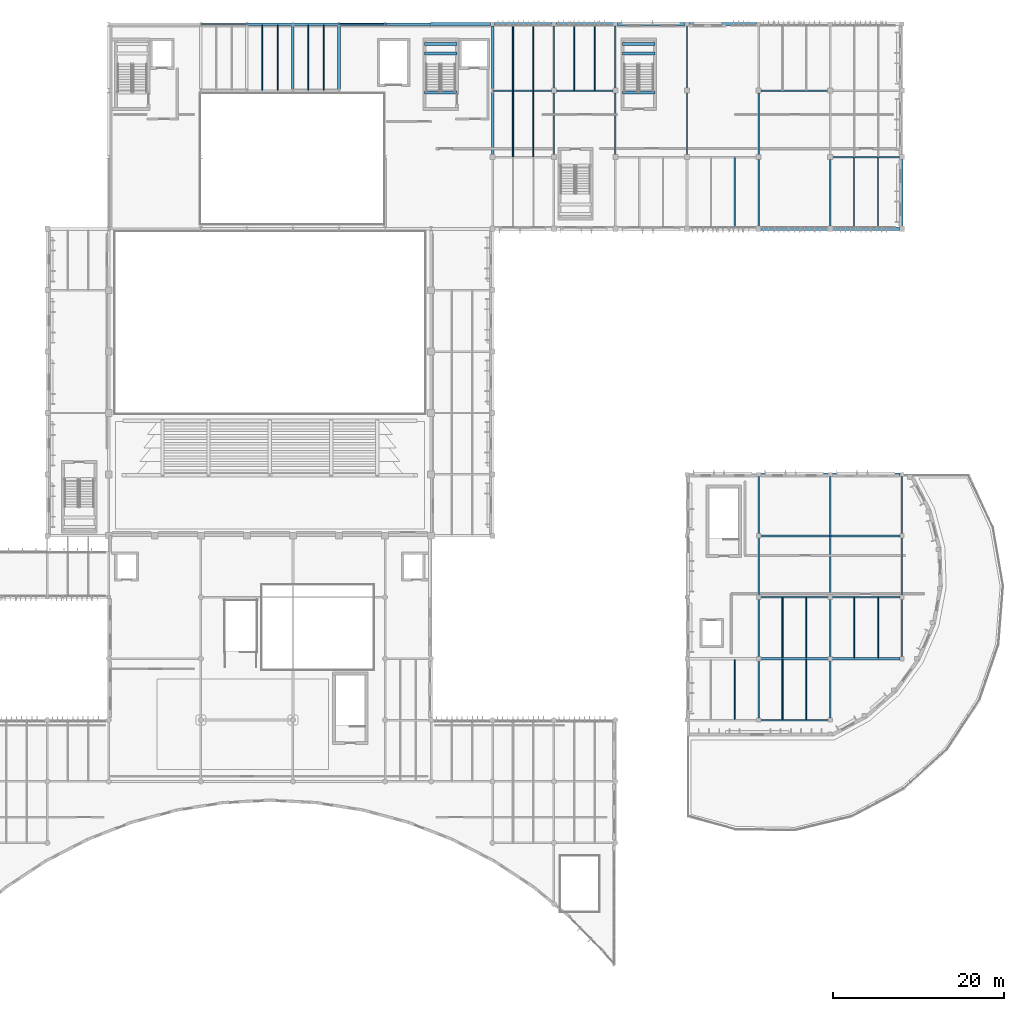
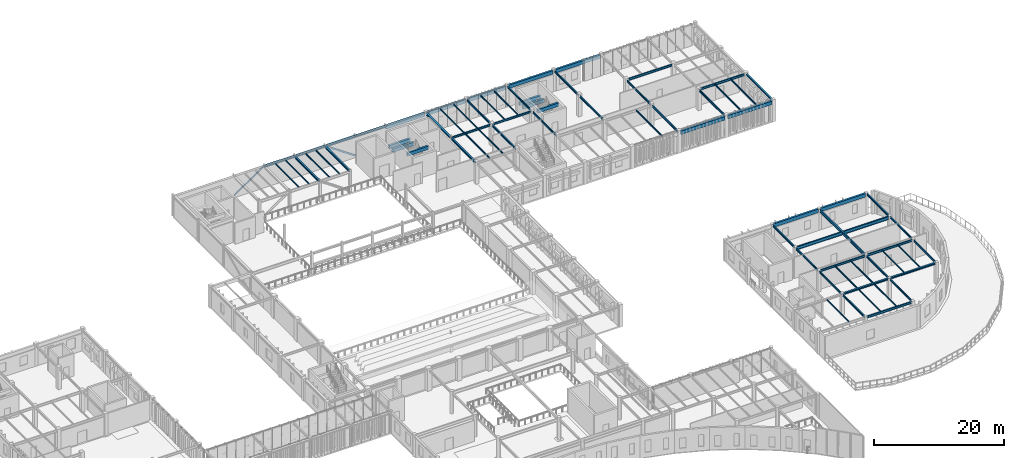
# One storey, part 15 of 104: 73 beams, 2 members.
"""IFC4 building model written with IfcOpenShell, lengths in metres."""

from ifc_helpers import new_model, si_unit, direction, frame, origin, origin_2d, place, context, subcontext, project, spatial, rectangle, hollow_rectangle, i_section, extrude, material, material_profile, profile_set, type_object, element, save


model = new_model("IFC4")

# Units and contexts
model_context = context("Model", 3, precision=1e-05, world=origin(), true_north=direction((0.0, 1.0)))
body_context = subcontext(model_context, "Body", "Model", "MODEL_VIEW")
ifc_project = project(units=[si_unit("LENGTHUNIT", "METRE"), si_unit("AREAUNIT", "SQUARE_METRE"), si_unit("VOLUMEUNIT", "CUBIC_METRE"), si_unit("PLANEANGLEUNIT", "RADIAN"), si_unit("MASSUNIT", "GRAM", prefix="KILO")], contexts=[model_context])

# Site, building, storey
site_placement = place(None, origin())
site = spatial("IfcSite", under=ifc_project, at=site_placement, CompositionType="ELEMENT")
building_placement = place(site_placement, origin())
building = spatial("IfcBuilding", under=site, at=building_placement, Name="Tazoul Stagehouse", CompositionType="ELEMENT")
storey_placement = place(building_placement, frame((0.0, 0.0, 9.0)))
storey = spatial("IfcBuildingStorey", under=building, at=storey_placement, Name="L02", CompositionType="ELEMENT", Elevation=9.0)

# Members
ifc_material_1 = material(Name="Steel S355", Category="steel")
ifc_material_profile_1 = material_profile(ifc_material_1, hollow_rectangle(XDim=0.199951171875, YDim=0.300048828125, WallThickness=0.012451171875, InnerFilletRadius=0.012451171875, OuterFilletRadius=0.018798828125, at=origin_2d()), Name="RHS 300x200x12.5")
ifc_profile_set_1 = profile_set([ifc_material_profile_1], Name="Steel S355")
member_type_1 = type_object("IfcMemberType", Name="Heavy Frame Brace RHS 300x200x12.5 (Exterior)", PredefinedType="BRACE", material=ifc_profile_set_1)
member_1_placement = place(storey_placement, frame((90.0, 111.800048828125, 0.14990234375), z_axis=(-0.82491369339, 0.0, 0.565258700471), x_axis=(0.0, -1.0, 0.0)))
element("IfcMember", 1, at=member_1_placement, inside=storey, type_object=member_type_1, Name="L02 Concentric Brace BR-06E (BR-FT-L02-N2)", PredefinedType="BRACE", context=body_context, shape_type="SweptSolid", body=[
    extrude(hollow_rectangle(XDim=0.199951171875, YDim=0.300048828125, WallThickness=0.012451171875, InnerFilletRadius=0.012451171875, OuterFilletRadius=0.018798828125, at=origin_2d()), origin(), (0.0, 0.0, 1.0), 6.546142578125),
])
ifc_material_profile_2 = material_profile(ifc_material_1, hollow_rectangle(XDim=0.14990234375, YDim=0.25, WallThickness=0.010009765625, InnerFilletRadius=0.010009765625, OuterFilletRadius=0.014892578125, at=origin_2d()), Name="RHS 250x150x10")
ifc_profile_set_2 = profile_set([ifc_material_profile_2], Name="Steel S355")
member_type_2 = type_object("IfcMemberType", Name="Lateral Frame Brace RHS 250x150x10 (Exterior)", PredefinedType="BRACE", material=ifc_profile_set_2)
member_2_placement = place(storey_placement, frame((68.39990234375, 111.800048828125, 0.14990234375), z_axis=(0.824925609572, 0.0, 0.565241310126), x_axis=(0.0, 1.0, 0.0)))
element("IfcMember", 2, at=member_2_placement, inside=storey, type_object=member_type_2, Name="L02 Concentric Brace BR-05E (BR-FT-L02-N1)", PredefinedType="BRACE", context=body_context, shape_type="SweptSolid", body=[
    extrude(hollow_rectangle(XDim=0.14990234375, YDim=0.25, WallThickness=0.010009765625, InnerFilletRadius=0.010009765625, OuterFilletRadius=0.014892578125, at=origin_2d()), origin(), (0.0, 0.0, 1.0), 6.546142578125),
])

# Beams
ifc_material_2 = material(Name="Concrete C40/50", Category="concrete")
ifc_material_profile_3 = material_profile(ifc_material_2, rectangle(XDim=0.35009765625, YDim=0.64990234375, at=origin_2d()), Name="RC 350x650")
ifc_profile_set_3 = profile_set([ifc_material_profile_3], Name="Concrete C40/50")
beam_type_1 = type_object("IfcBeamType", Name="RC Perimeter Spandrel 350x650 (Exterior)", PredefinedType="SPANDREL", material=ifc_profile_set_3)
beam_1_placement = place(storey_placement, frame((134.02490234375, 59.0, 3.633056640625), z_axis=(1.0, 0.0, 0.0), x_axis=(0.0, 1.0, 0.0)))
element("IfcBeam", 3, at=beam_1_placement, inside=storey, type_object=beam_type_1, Name="L02 Beam SP-01E J/20-21", PredefinedType="SPANDREL", context=body_context, shape_type="SweptSolid", body=[
    extrude(rectangle(XDim=0.35009765625, YDim=0.64990234375, at=origin_2d()), origin(), (0.0, 0.0, 1.0), 7.9501953125),
])
beam_2_placement = place(storey_placement, frame((142.425048828125, 59.0, 3.633056640625), z_axis=(1.0, 0.0, 0.0), x_axis=(0.0, 1.0, 0.0)))
element("IfcBeam", 4, at=beam_2_placement, inside=storey, type_object=beam_type_1, Name="L02 Beam SP-01E J/21-22", PredefinedType="SPANDREL", context=body_context, shape_type="SweptSolid", body=[
    extrude(rectangle(XDim=0.35009765625, YDim=0.64990234375, at=origin_2d()), origin(), (0.0, 0.0, 1.0), 7.949951171875),
])
beam_3_placement = place(storey_placement, frame((134.074951171875, 87.800048828125, 3.60302734375), z_axis=(1.0, 0.0, 0.0), x_axis=(0.0, 1.0, 0.0)))
element("IfcBeam", 5, at=beam_3_placement, inside=storey, type_object=beam_type_1, Name="L02 Beam SP-01E N/20-21", PredefinedType="SPANDREL", context=body_context, shape_type="SweptSolid", body=[
    extrude(rectangle(XDim=0.35009765625, YDim=0.64990234375, at=origin_2d()), origin(), (0.0, 0.0, 1.0), 7.85009765625),
])
beam_4_placement = place(storey_placement, frame((142.47509765625, 87.800048828125, 3.60302734375), z_axis=(1.0, 0.0, 0.0), x_axis=(0.0, 1.0, 0.0)))
element("IfcBeam", 6, at=beam_4_placement, inside=storey, type_object=beam_type_1, Name="L02 Beam SP-01E N/21-22", PredefinedType="SPANDREL", context=body_context, shape_type="SweptSolid", body=[
    extrude(rectangle(XDim=0.35009765625, YDim=0.64990234375, at=origin_2d()), origin(), (0.0, 0.0, 1.0), 7.849853515625),
])
beam_5_placement = place(storey_placement, frame((95.409912109375, 111.800048828125, 3.60302734375), z_axis=(1.0, 0.0, 0.0), x_axis=(0.0, 1.0, 0.0)))
element("IfcBeam", 7, at=beam_5_placement, inside=storey, type_object=beam_type_1, Name="L02 Beam SP-01E R/15-16", PredefinedType="SPANDREL", context=body_context, shape_type="SweptSolid", body=[
    extrude(rectangle(XDim=0.35009765625, YDim=0.64990234375, at=origin_2d()), origin(), (0.0, 0.0, 1.0), 6.965087890625),
])
for number, where, z_axis, x_axis, name in (
    (8, (102.824951171875, 111.800048828125, 3.60302734375), (1.0, 0.0, 0.0), (0.0, 1.0, 0.0), "L02 Beam SP-01E R/16-17"),
    (9, (110.02490234375, 111.800048828125, 3.60302734375), (1.0, 0.0, 0.0), (0.0, 1.0, 0.0), "L02 Beam SP-01E R/17-18"),
):
    element("IfcBeam", number, at=place(storey_placement, frame(where, z_axis=z_axis, x_axis=x_axis)), inside=storey, type_object=beam_type_1, Name=name, PredefinedType="SPANDREL", context=body_context, shape_type="SweptSolid", body=[
        extrude(rectangle(XDim=0.35009765625, YDim=0.64990234375, at=origin_2d()), origin(), (0.0, 0.0, 1.0), 6.75),
    ])
for number, where, z_axis, x_axis, name in (
    (10, (117.22509765625, 111.800048828125, 3.60302734375), (1.0, 0.0, 0.0), (0.0, 1.0, 0.0), "L02 Beam SP-01E R/18-19"),
    (11, (125.625, 111.800048828125, 3.60302734375), (1.0, 0.0, 0.0), (0.0, 1.0, 0.0), "L02 Beam SP-01E R/19-20"),
):
    element("IfcBeam", number, at=place(storey_placement, frame(where, z_axis=z_axis, x_axis=x_axis)), inside=storey, type_object=beam_type_1, Name=name, PredefinedType="SPANDREL", context=body_context, shape_type="SweptSolid", body=[
        extrude(rectangle(XDim=0.35009765625, YDim=0.64990234375, at=origin_2d()), origin(), (0.0, 0.0, 1.0), 7.949951171875),
    ])
ifc_material_profile_4 = material_profile(ifc_material_2, rectangle(XDim=0.35009765625, YDim=0.64990234375, at=origin_2d()), Name="RC 350x650")
ifc_profile_set_4 = profile_set([ifc_material_profile_4], Name="Concrete C40/50")
beam_type_2 = type_object("IfcBeamType", Name="RC Primary Girder 350x650", PredefinedType="BEAM", material=ifc_profile_set_4)
for number, where, z_axis, x_axis, name in (
    (12, (94.6201171875, 108.35009765625, 1.580078125), (1.0, 0.0, 0.0), (0.0, 1.0, 0.0), "L02 Stair Half-Landing Trimmer BM-01 (ST-01-1)"),
    (13, (94.6201171875, 109.449951171875, 1.580078125), (1.0, 0.0, 0.0), (0.0, 1.0, 0.0), "L02 Stair Half-Landing Trimmer BM-01 (ST-01-2)"),
    (14, (94.6201171875, 103.800048828125, 3.625), (1.0, 0.0, 0.0), (0.0, 1.0, 0.0), "L02 Stair Landing Trimmer BM-01 (ST-01-FL)"),
    (15, (117.820068359375, 108.35009765625, 1.580078125), (1.0, 0.0, 0.0), (0.0, 1.0, 0.0), "L02 Stair Half-Landing Trimmer BM-01 (ST-02-1)"),
    (16, (117.820068359375, 109.449951171875, 1.580078125), (1.0, 0.0, 0.0), (0.0, 1.0, 0.0), "L02 Stair Half-Landing Trimmer BM-01 (ST-02-2)"),
    (17, (117.820068359375, 103.800048828125, 3.625), (1.0, 0.0, 0.0), (0.0, 1.0, 0.0), "L02 Stair Landing Trimmer BM-01 (ST-02-FL)"),
):
    element("IfcBeam", number, at=place(storey_placement, frame(where, z_axis=z_axis, x_axis=x_axis)), inside=storey, type_object=beam_type_2, Name=name, PredefinedType="BEAM", context=body_context, shape_type="SweptSolid", body=[
        extrude(rectangle(XDim=0.35009765625, YDim=0.64990234375, at=origin_2d()), origin(), (0.0, 0.0, 1.0), 3.809814453125),
    ])
ifc_material_profile_5 = material_profile(ifc_material_1, i_section(OverallWidth=0.300048828125, OverallDepth=0.2900390625, WebThickness=0.008544921875, FlangeThickness=0.013916015625, FilletRadius=0.027099609375, at=origin_2d()), Name="HEA 300")
ifc_profile_set_5 = profile_set([ifc_material_profile_5], Name="Steel S355")
beam_type_3 = type_object("IfcBeamType", Name="Steel Crescent Spandrel HEA 300", PredefinedType="SPANDREL", material=ifc_profile_set_5)
beam_6_placement = place(storey_placement, frame((134.02490234375, 37.39990234375, 3.81298828125), z_axis=(1.0, 0.0, 0.0), x_axis=(0.0, 1.0, 0.0)))
element("IfcBeam", 18, at=beam_6_placement, inside=storey, type_object=beam_type_3, Name="L02 Beam SP-03 F/20-21", PredefinedType="SPANDREL", context=body_context, shape_type="SweptSolid", body=[
    extrude(i_section(OverallWidth=0.300048828125, OverallDepth=0.2900390625, WebThickness=0.008544921875, FlangeThickness=0.013916015625, FilletRadius=0.027099609375, at=origin_2d()), origin(), (0.0, 0.0, 1.0), 7.9501953125),
])
beam_7_placement = place(storey_placement, frame((142.425048828125, 37.39990234375, 3.81298828125), z_axis=(1.0, 0.0, 0.0), x_axis=(0.0, 1.0, 0.0)))
element("IfcBeam", 19, at=beam_7_placement, inside=storey, type_object=beam_type_3, Name="L02 Beam SP-03 F/21-22", PredefinedType="SPANDREL", context=body_context, shape_type="SweptSolid", body=[
    extrude(i_section(OverallWidth=0.300048828125, OverallDepth=0.2900390625, WebThickness=0.008544921875, FlangeThickness=0.013916015625, FilletRadius=0.027099609375, at=origin_2d()), origin(), (0.0, 0.0, 1.0), 7.949951171875),
])
ifc_material_profile_6 = material_profile(ifc_material_1, i_section(OverallWidth=0.280029296875, OverallDepth=0.27001953125, WebThickness=0.008056640625, FlangeThickness=0.012939453125, FilletRadius=0.02392578125, at=origin_2d()), Name="HEA 280")
ifc_profile_set_6 = profile_set([ifc_material_profile_6], Name="Steel S355")
beam_type_4 = type_object("IfcBeamType", Name="Steel Facade Spandrel HEA 280 (Exterior)", PredefinedType="SPANDREL", material=ifc_profile_set_6)
beam_8_placement = place(storey_placement, frame((150.60009765625, 88.074951171875, 3.822998046875), z_axis=(0.0, 1.0, 0.0), x_axis=(-1.0, 0.0, 0.0)))
element("IfcBeam", 20, at=beam_8_placement, inside=storey, type_object=beam_type_4, Name="L02 Beam SP-02E 22/N-P", PredefinedType="SPANDREL", context=body_context, shape_type="SweptSolid", body=[
    extrude(i_section(OverallWidth=0.280029296875, OverallDepth=0.27001953125, WebThickness=0.008056640625, FlangeThickness=0.012939453125, FilletRadius=0.02392578125, at=origin_2d()), origin(), (0.0, 0.0, 1.0), 7.85009765625),
])
ifc_material_profile_7 = material_profile(ifc_material_1, i_section(OverallWidth=0.1201171875, OverallDepth=0.239990234375, WebThickness=0.006103515625, FlangeThickness=0.009765625, FilletRadius=0.014892578125, at=origin_2d()), Name="IPE 240")
ifc_profile_set_7 = profile_set([ifc_material_profile_7], Name="Steel S355")
beam_type_5 = type_object("IfcBeamType", Name="Steel Floor Joist IPE 240", PredefinedType="JOIST", material=ifc_profile_set_7)
for number, where, z_axis, x_axis, name in (
    (21, (131.0, 30.264892578125, 3.837890625), (0.0, 1.0, 0.0), (-1.0, 0.0, 0.0), "L02 Joist JS-01 19/E-2"),
    (22, (136.60009765625, 30.264892578125, 3.837890625), (0.0, 1.0, 0.0), (-1.0, 0.0, 0.0), "L02 Joist JS-01 20/E-1"),
    (23, (139.39990234375, 30.264892578125, 3.837890625), (0.0, 1.0, 0.0), (-1.0, 0.0, 0.0), "L02 Joist JS-01 20/E-2"),
    (24, (136.60009765625, 37.52490234375, 3.837890625), (0.0, 1.0, 0.0), (-1.0, 0.0, 0.0), "L02 Joist JS-01 20/F-1"),
    (25, (139.39990234375, 37.52490234375, 3.837890625), (0.0, 1.0, 0.0), (-1.0, 0.0, 0.0), "L02 Joist JS-01 20/F-2"),
    (26, (145.0, 37.52490234375, 3.837890625), (0.0, 1.0, 0.0), (-1.0, 0.0, 0.0), "L02 Joist JS-01 21/F-1"),
    (27, (147.800048828125, 37.52490234375, 3.837890625), (0.0, 1.0, 0.0), (-1.0, 0.0, 0.0), "L02 Joist JS-01 21/F-2"),
):
    element("IfcBeam", number, at=place(storey_placement, frame(where, z_axis=z_axis, x_axis=x_axis)), inside=storey, type_object=beam_type_5, Name=name, PredefinedType="JOIST", context=body_context, shape_type="SweptSolid", body=[
        extrude(i_section(OverallWidth=0.1201171875, OverallDepth=0.239990234375, WebThickness=0.006103515625, FlangeThickness=0.009765625, FilletRadius=0.014892578125, at=origin_2d()), origin(), (0.0, 0.0, 1.0), 7.010009765625),
    ])
for number, where, z_axis, x_axis, name in (
    (28, (105.0, 96.260009765625, 3.80810546875), (0.0, 1.0, 0.0), (-1.0, 0.0, 0.0), "L02 Joist JS-01 16/P-1"),
    (29, (107.39990234375, 96.260009765625, 3.80810546875), (0.0, 1.0, 0.0), (-1.0, 0.0, 0.0), "L02 Joist JS-01 16/P-2"),
):
    element("IfcBeam", number, at=place(storey_placement, frame(where, z_axis=z_axis, x_axis=x_axis)), inside=storey, type_object=beam_type_5, Name=name, PredefinedType="JOIST", context=body_context, shape_type="SweptSolid", body=[
        extrude(i_section(OverallWidth=0.1201171875, OverallDepth=0.239990234375, WebThickness=0.006103515625, FlangeThickness=0.009765625, FilletRadius=0.014892578125, at=origin_2d()), origin(), (0.0, 0.0, 1.0), 7.679931640625),
    ])
for number, where, z_axis, x_axis, name in (
    (30, (75.60009765625, 104.070068359375, 3.827880859375), (0.0, 1.0, 0.0), (-1.0, 0.0, 0.0), "L02 Joist JS-01 11/Q-1"),
    (31, (77.39990234375, 104.070068359375, 3.827880859375), (0.0, 1.0, 0.0), (-1.0, 0.0, 0.0), "L02 Joist JS-01 11/Q-2"),
    (32, (81.0, 104.070068359375, 3.827880859375), (0.0, 1.0, 0.0), (-1.0, 0.0, 0.0), "L02 Joist JS-01 12/Q-1"),
    (33, (82.800048828125, 104.070068359375, 3.827880859375), (0.0, 1.0, 0.0), (-1.0, 0.0, 0.0), "L02 Joist JS-01 12/Q-2"),
):
    element("IfcBeam", number, at=place(storey_placement, frame(where, z_axis=z_axis, x_axis=x_axis)), inside=storey, type_object=beam_type_5, Name=name, PredefinedType="JOIST", context=body_context, shape_type="SweptSolid", body=[
        extrude(i_section(OverallWidth=0.1201171875, OverallDepth=0.239990234375, WebThickness=0.006103515625, FlangeThickness=0.009765625, FilletRadius=0.014892578125, at=origin_2d()), origin(), (0.0, 0.0, 1.0), 7.60498046875),
    ])
for number, where, z_axis, x_axis, name in (
    (34, (105.0, 104.06005859375, 3.80810546875), (0.0, 1.0, 0.0), (-1.0, 0.0, 0.0), "L02 Joist JS-01 16/Q-1"),
    (35, (107.39990234375, 104.06005859375, 3.80810546875), (0.0, 1.0, 0.0), (-1.0, 0.0, 0.0), "L02 Joist JS-01 16/Q-2"),
    (36, (112.199951171875, 104.06005859375, 3.80810546875), (0.0, 1.0, 0.0), (-1.0, 0.0, 0.0), "L02 Joist JS-01 17/Q-1"),
    (37, (114.60009765625, 104.06005859375, 3.80810546875), (0.0, 1.0, 0.0), (-1.0, 0.0, 0.0), "L02 Joist JS-01 17/Q-2"),
):
    element("IfcBeam", number, at=place(storey_placement, frame(where, z_axis=z_axis, x_axis=x_axis)), inside=storey, type_object=beam_type_5, Name=name, PredefinedType="JOIST", context=body_context, shape_type="SweptSolid", body=[
        extrude(i_section(OverallWidth=0.1201171875, OverallDepth=0.239990234375, WebThickness=0.006103515625, FlangeThickness=0.009765625, FilletRadius=0.014892578125, at=origin_2d()), origin(), (0.0, 0.0, 1.0), 7.58984375),
    ])
ifc_material_profile_8 = material_profile(ifc_material_1, i_section(OverallWidth=0.135009765625, OverallDepth=0.27001953125, WebThickness=0.006591796875, FlangeThickness=0.01025390625, FilletRadius=0.014892578125, at=origin_2d()), Name="IPE 270")
ifc_profile_set_8 = profile_set([ifc_material_profile_8], Name="Steel S355")
beam_type_6 = type_object("IfcBeamType", Name="Steel Floor Joist IPE 270", PredefinedType="JOIST", material=ifc_profile_set_8)
for number, where, z_axis, x_axis, name in (
    (38, (131.0, 87.949951171875, 3.79296875), (0.0, 1.0, 0.0), (-1.0, 0.0, 0.0), "L02 Joist JS-02 19/N-2"),
    (39, (145.0, 87.949951171875, 3.79296875), (0.0, 1.0, 0.0), (-1.0, 0.0, 0.0), "L02 Joist JS-02 21/N-1"),
    (40, (147.800048828125, 87.949951171875, 3.79296875), (0.0, 1.0, 0.0), (-1.0, 0.0, 0.0), "L02 Joist JS-02 21/N-2"),
):
    element("IfcBeam", number, at=place(storey_placement, frame(where, z_axis=z_axis, x_axis=x_axis)), inside=storey, type_object=beam_type_6, Name=name, PredefinedType="JOIST", context=body_context, shape_type="SweptSolid", body=[
        extrude(i_section(OverallWidth=0.135009765625, OverallDepth=0.27001953125, WebThickness=0.006591796875, FlangeThickness=0.01025390625, FilletRadius=0.014892578125, at=origin_2d()), origin(), (0.0, 0.0, 1.0), 8.18505859375),
    ])
ifc_material_profile_9 = material_profile(ifc_material_1, i_section(OverallWidth=0.300048828125, OverallDepth=0.35009765625, WebThickness=0.010009765625, FlangeThickness=0.017578125, FilletRadius=0.027099609375, at=origin_2d()), Name="HEA 360")
ifc_profile_set_9 = profile_set([ifc_material_profile_9], Name="Steel S355")
beam_type_7 = type_object("IfcBeamType", Name="Steel Fly-Tower Ring Beam HEA 360", PredefinedType="BEAM", material=ifc_profile_set_9)
for number, where, z_axis, x_axis, name in (
    (41, (79.199951171875, 104.155029296875, 3.77294921875), (0.0, 1.0, 0.0), (-1.0, 0.0, 0.0), "L02 Beam SB-07 12/Q-R"),
    (42, (84.60009765625, 104.155029296875, 3.77294921875), (0.0, 1.0, 0.0), (-1.0, 0.0, 0.0), "L02 Beam SB-07 13/Q-R"),
):
    element("IfcBeam", number, at=place(storey_placement, frame(where, z_axis=z_axis, x_axis=x_axis)), inside=storey, type_object=beam_type_7, Name=name, PredefinedType="BEAM", context=body_context, shape_type="SweptSolid", body=[
        extrude(i_section(OverallWidth=0.300048828125, OverallDepth=0.35009765625, WebThickness=0.010009765625, FlangeThickness=0.017578125, FilletRadius=0.027099609375, at=origin_2d()), origin(), (0.0, 0.0, 1.0), 7.489990234375),
    ])
beam_9_placement = place(storey_placement, frame((102.60009765625, 96.47509765625, 3.7529296875), z_axis=(0.0, 1.0, 0.0), x_axis=(-1.0, 0.0, 0.0)))
element("IfcBeam", 43, at=beam_9_placement, inside=storey, type_object=beam_type_7, Name="L02 Beam SB-07 16/P-Q", PredefinedType="BEAM", context=body_context, shape_type="SweptSolid", body=[
    extrude(i_section(OverallWidth=0.300048828125, OverallDepth=0.35009765625, WebThickness=0.010009765625, FlangeThickness=0.017578125, FilletRadius=0.027099609375, at=origin_2d()), origin(), (0.0, 0.0, 1.0), 7.324951171875),
])
beam_10_placement = place(storey_placement, frame((102.60009765625, 104.199951171875, 3.7529296875), z_axis=(0.0, 1.0, 0.0), x_axis=(-1.0, 0.0, 0.0)))
element("IfcBeam", 44, at=beam_10_placement, inside=storey, type_object=beam_type_7, Name="L02 Beam SB-07 16/Q-R", PredefinedType="BEAM", context=body_context, shape_type="SweptSolid", body=[
    extrude(i_section(OverallWidth=0.300048828125, OverallDepth=0.35009765625, WebThickness=0.010009765625, FlangeThickness=0.017578125, FilletRadius=0.027099609375, at=origin_2d()), origin(), (0.0, 0.0, 1.0), 7.375),
])
ifc_material_profile_10 = material_profile(ifc_material_1, i_section(OverallWidth=0.300048828125, OverallDepth=0.389892578125, WebThickness=0.010986328125, FlangeThickness=0.01904296875, FilletRadius=0.027099609375, at=origin_2d()), Name="HEA 400")
ifc_profile_set_10 = profile_set([ifc_material_profile_10], Name="Steel S355")
beam_type_8 = type_object("IfcBeamType", Name="Steel Fly-Tower Spandrel HEA 400 (Exterior)", PredefinedType="SPANDREL", material=ifc_profile_set_10)
beam_11_placement = place(storey_placement, frame((73.81005859375, 111.800048828125, 3.7529296875), z_axis=(1.0, 0.0, 0.0), x_axis=(0.0, 1.0, 0.0)))
element("IfcBeam", 45, at=beam_11_placement, inside=storey, type_object=beam_type_8, Name="L02 Beam SP-04E R/11-12", PredefinedType="SPANDREL", context=body_context, shape_type="SweptSolid", body=[
    extrude(i_section(OverallWidth=0.300048828125, OverallDepth=0.389892578125, WebThickness=0.010986328125, FlangeThickness=0.01904296875, FilletRadius=0.027099609375, at=origin_2d()), origin(), (0.0, 0.0, 1.0), 5.3798828125),
])
beam_12_placement = place(storey_placement, frame((79.2099609375, 111.800048828125, 3.7529296875), z_axis=(1.0, 0.0, 0.0), x_axis=(0.0, 1.0, 0.0)))
element("IfcBeam", 46, at=beam_12_placement, inside=storey, type_object=beam_type_8, Name="L02 Beam SP-04E R/12-13", PredefinedType="SPANDREL", context=body_context, shape_type="SweptSolid", body=[
    extrude(i_section(OverallWidth=0.300048828125, OverallDepth=0.389892578125, WebThickness=0.010986328125, FlangeThickness=0.01904296875, FilletRadius=0.027099609375, at=origin_2d()), origin(), (0.0, 0.0, 1.0), 5.380126953125),
])
for number, where, z_axis, x_axis, name in (
    (47, (84.610107421875, 111.800048828125, 3.7529296875), (1.0, 0.0, 0.0), (0.0, 1.0, 0.0), "L02 Beam SP-04E R/13-14"),
    (48, (90.010009765625, 111.800048828125, 3.7529296875), (1.0, 0.0, 0.0), (0.0, 1.0, 0.0), "L02 Beam SP-04E R/14-15"),
):
    element("IfcBeam", number, at=place(storey_placement, frame(where, z_axis=z_axis, x_axis=x_axis)), inside=storey, type_object=beam_type_8, Name=name, PredefinedType="SPANDREL", context=body_context, shape_type="SweptSolid", body=[
        extrude(i_section(OverallWidth=0.300048828125, OverallDepth=0.389892578125, WebThickness=0.010986328125, FlangeThickness=0.01904296875, FilletRadius=0.027099609375, at=origin_2d()), origin(), (0.0, 0.0, 1.0), 5.3798828125),
    ])
ifc_material_profile_11 = material_profile(ifc_material_1, i_section(OverallWidth=0.2099609375, OverallDepth=0.550048828125, WebThickness=0.010986328125, FlangeThickness=0.01708984375, FilletRadius=0.02392578125, at=origin_2d()), Name="IPE 550")
ifc_profile_set_11 = profile_set([ifc_material_profile_11], Name="Steel S355")
beam_type_9 = type_object("IfcBeamType", Name="Steel Hall Girder IPE 550", PredefinedType="BEAM", material=ifc_profile_set_11)
beam_13_placement = place(storey_placement, frame((142.199951171875, 44.824951171875, 3.68310546875), z_axis=(0.0, 1.0, 0.0), x_axis=(-1.0, 0.0, 0.0)))
element("IfcBeam", 49, at=beam_13_placement, inside=storey, type_object=beam_type_9, Name="L02 Beam SB-05 21/G-J", PredefinedType="BEAM", context=body_context, shape_type="SweptSolid", body=[
    extrude(i_section(OverallWidth=0.2099609375, OverallDepth=0.550048828125, WebThickness=0.010986328125, FlangeThickness=0.01708984375, FilletRadius=0.02392578125, at=origin_2d()), origin(), (0.0, 0.0, 1.0), 13.949951171875),
])
ifc_material_profile_12 = material_profile(ifc_material_1, i_section(OverallWidth=0.169921875, OverallDepth=0.360107421875, WebThickness=0.008056640625, FlangeThickness=0.0126953125, FilletRadius=0.01806640625, at=origin_2d()), Name="IPE 360")
ifc_profile_set_12 = profile_set([ifc_material_profile_12], Name="Steel S355")
beam_type_10 = type_object("IfcBeamType", Name="Steel Primary Girder IPE 360", PredefinedType="BEAM", material=ifc_profile_set_12)
beam_14_placement = place(storey_placement, frame((102.610107421875, 104.0, 3.748046875), z_axis=(1.0, 0.0, 0.0), x_axis=(0.0, 1.0, 0.0)))
element("IfcBeam", 50, at=beam_14_placement, inside=storey, type_object=beam_type_10, Name="L02 Beam SB-01 Q/16-17", PredefinedType="BEAM", context=body_context, shape_type="SweptSolid", body=[
    extrude(i_section(OverallWidth=0.169921875, OverallDepth=0.360107421875, WebThickness=0.008056640625, FlangeThickness=0.0126953125, FilletRadius=0.01806640625, at=origin_2d()), origin(), (0.0, 0.0, 1.0), 6.914794921875),
])
beam_15_placement = place(storey_placement, frame((110.074951171875, 104.0, 3.748046875), z_axis=(1.0, 0.0, 0.0), x_axis=(0.0, 1.0, 0.0)))
element("IfcBeam", 51, at=beam_15_placement, inside=storey, type_object=beam_type_10, Name="L02 Beam SB-01 Q/17-18", PredefinedType="BEAM", context=body_context, shape_type="SweptSolid", body=[
    extrude(i_section(OverallWidth=0.169921875, OverallDepth=0.360107421875, WebThickness=0.008056640625, FlangeThickness=0.0126953125, FilletRadius=0.01806640625, at=origin_2d()), origin(), (0.0, 0.0, 1.0), 6.650146484375),
])
beam_16_placement = place(storey_placement, frame((109.800048828125, 96.47509765625, 3.748046875), z_axis=(0.0, 1.0, 0.0), x_axis=(-1.0, 0.0, 0.0)))
element("IfcBeam", 52, at=beam_16_placement, inside=storey, type_object=beam_type_10, Name="L02 Beam SB-01 17/P-Q", PredefinedType="BEAM", context=body_context, shape_type="SweptSolid", body=[
    extrude(i_section(OverallWidth=0.169921875, OverallDepth=0.360107421875, WebThickness=0.008056640625, FlangeThickness=0.0126953125, FilletRadius=0.01806640625, at=origin_2d()), origin(), (0.0, 0.0, 1.0), 7.25),
])
beam_17_placement = place(storey_placement, frame((109.800048828125, 104.27490234375, 3.748046875), z_axis=(0.0, 1.0, 0.0), x_axis=(-1.0, 0.0, 0.0)))
element("IfcBeam", 53, at=beam_17_placement, inside=storey, type_object=beam_type_10, Name="L02 Beam SB-01 17/Q-R", PredefinedType="BEAM", context=body_context, shape_type="SweptSolid", body=[
    extrude(i_section(OverallWidth=0.169921875, OverallDepth=0.360107421875, WebThickness=0.008056640625, FlangeThickness=0.0126953125, FilletRadius=0.01806640625, at=origin_2d()), origin(), (0.0, 0.0, 1.0), 7.300048828125),
])
beam_18_placement = place(storey_placement, frame((117.0, 96.47509765625, 3.748046875), z_axis=(0.0, 1.0, 0.0), x_axis=(-1.0, 0.0, 0.0)))
element("IfcBeam", 54, at=beam_18_placement, inside=storey, type_object=beam_type_10, Name="L02 Beam SB-01 18/P-Q", PredefinedType="BEAM", context=body_context, shape_type="SweptSolid", body=[
    extrude(i_section(OverallWidth=0.169921875, OverallDepth=0.360107421875, WebThickness=0.008056640625, FlangeThickness=0.0126953125, FilletRadius=0.01806640625, at=origin_2d()), origin(), (0.0, 0.0, 1.0), 7.25),
])
beam_19_placement = place(storey_placement, frame((117.0, 104.27490234375, 3.748046875), z_axis=(0.0, 1.0, 0.0), x_axis=(-1.0, 0.0, 0.0)))
element("IfcBeam", 55, at=beam_19_placement, inside=storey, type_object=beam_type_10, Name="L02 Beam SB-01 18/Q-R", PredefinedType="BEAM", context=body_context, shape_type="SweptSolid", body=[
    extrude(i_section(OverallWidth=0.169921875, OverallDepth=0.360107421875, WebThickness=0.008056640625, FlangeThickness=0.0126953125, FilletRadius=0.01806640625, at=origin_2d()), origin(), (0.0, 0.0, 1.0), 7.300048828125),
])
beam_20_placement = place(storey_placement, frame((125.39990234375, 96.47509765625, 3.748046875), z_axis=(0.0, 1.0, 0.0), x_axis=(-1.0, 0.0, 0.0)))
element("IfcBeam", 56, at=beam_20_placement, inside=storey, type_object=beam_type_10, Name="L02 Beam SB-01 19/P-Q", PredefinedType="BEAM", context=body_context, shape_type="SweptSolid", body=[
    extrude(i_section(OverallWidth=0.169921875, OverallDepth=0.360107421875, WebThickness=0.008056640625, FlangeThickness=0.0126953125, FilletRadius=0.01806640625, at=origin_2d()), origin(), (0.0, 0.0, 1.0), 7.25),
])
beam_21_placement = place(storey_placement, frame((125.39990234375, 104.27490234375, 3.748046875), z_axis=(0.0, 1.0, 0.0), x_axis=(-1.0, 0.0, 0.0)))
element("IfcBeam", 57, at=beam_21_placement, inside=storey, type_object=beam_type_10, Name="L02 Beam SB-01 19/Q-R", PredefinedType="BEAM", context=body_context, shape_type="SweptSolid", body=[
    extrude(i_section(OverallWidth=0.169921875, OverallDepth=0.360107421875, WebThickness=0.008056640625, FlangeThickness=0.0126953125, FilletRadius=0.01806640625, at=origin_2d()), origin(), (0.0, 0.0, 1.0), 7.300048828125),
])
for number, where, z_axis, x_axis, name in (
    (58, (133.800048828125, 30.425048828125, 3.778076171875), (0.0, 1.0, 0.0), (-1.0, 0.0, 0.0), "L02 Beam SB-01 20/E-F"),
    (59, (133.800048828125, 37.625, 3.778076171875), (0.0, 1.0, 0.0), (-1.0, 0.0, 0.0), "L02 Beam SB-01 20/F-G"),
    (60, (133.800048828125, 44.824951171875, 3.778076171875), (0.0, 1.0, 0.0), (-1.0, 0.0, 0.0), "L02 Beam SB-01 20/G-H"),
    (61, (133.800048828125, 52.02490234375, 3.778076171875), (0.0, 1.0, 0.0), (-1.0, 0.0, 0.0), "L02 Beam SB-01 20/H-J"),
):
    element("IfcBeam", number, at=place(storey_placement, frame(where, z_axis=z_axis, x_axis=x_axis)), inside=storey, type_object=beam_type_10, Name=name, PredefinedType="BEAM", context=body_context, shape_type="SweptSolid", body=[
        extrude(i_section(OverallWidth=0.169921875, OverallDepth=0.360107421875, WebThickness=0.008056640625, FlangeThickness=0.0126953125, FilletRadius=0.01806640625, at=origin_2d()), origin(), (0.0, 0.0, 1.0), 6.75),
    ])
beam_22_placement = place(storey_placement, frame((133.800048828125, 96.47509765625, 3.748046875), z_axis=(0.0, 1.0, 0.0), x_axis=(-1.0, 0.0, 0.0)))
element("IfcBeam", 62, at=beam_22_placement, inside=storey, type_object=beam_type_10, Name="L02 Beam SB-01 20/P-Q", PredefinedType="BEAM", context=body_context, shape_type="SweptSolid", body=[
    extrude(i_section(OverallWidth=0.169921875, OverallDepth=0.360107421875, WebThickness=0.008056640625, FlangeThickness=0.0126953125, FilletRadius=0.01806640625, at=origin_2d()), origin(), (0.0, 0.0, 1.0), 7.25),
])
for number, where, z_axis, x_axis, name in (
    (63, (142.199951171875, 30.425048828125, 3.778076171875), (0.0, 1.0, 0.0), (-1.0, 0.0, 0.0), "L02 Beam SB-01 21/E-F"),
    (64, (142.199951171875, 37.625, 3.778076171875), (0.0, 1.0, 0.0), (-1.0, 0.0, 0.0), "L02 Beam SB-01 21/F-G"),
    (65, (150.60009765625, 37.625, 3.778076171875), (0.0, 1.0, 0.0), (-1.0, 0.0, 0.0), "L02 Beam SB-01 22/F-G"),
    (66, (150.60009765625, 44.824951171875, 3.778076171875), (0.0, 1.0, 0.0), (-1.0, 0.0, 0.0), "L02 Beam SB-01 22/G-H"),
    (67, (150.60009765625, 52.02490234375, 3.778076171875), (0.0, 1.0, 0.0), (-1.0, 0.0, 0.0), "L02 Beam SB-01 22/H-J"),
):
    element("IfcBeam", number, at=place(storey_placement, frame(where, z_axis=z_axis, x_axis=x_axis)), inside=storey, type_object=beam_type_10, Name=name, PredefinedType="BEAM", context=body_context, shape_type="SweptSolid", body=[
        extrude(i_section(OverallWidth=0.169921875, OverallDepth=0.360107421875, WebThickness=0.008056640625, FlangeThickness=0.0126953125, FilletRadius=0.01806640625, at=origin_2d()), origin(), (0.0, 0.0, 1.0), 6.75),
    ])
ifc_material_profile_13 = material_profile(ifc_material_1, i_section(OverallWidth=0.179931640625, OverallDepth=0.39990234375, WebThickness=0.008544921875, FlangeThickness=0.013427734375, FilletRadius=0.02099609375, at=origin_2d()), Name="IPE 400")
ifc_profile_set_13 = profile_set([ifc_material_profile_13], Name="Steel S355")
beam_type_11 = type_object("IfcBeamType", Name="Steel Primary Girder IPE 400", PredefinedType="BEAM", material=ifc_profile_set_13)
for number, where, z_axis, x_axis, name in (
    (68, (134.02490234375, 30.199951171875, 3.758056640625), (1.0, 0.0, 0.0), (0.0, 1.0, 0.0), "L02 Beam SB-02 E/20-21"),
    (69, (134.02490234375, 44.60009765625, 3.758056640625), (1.0, 0.0, 0.0), (0.0, 1.0, 0.0), "L02 Beam SB-02 G/20-21"),
):
    element("IfcBeam", number, at=place(storey_placement, frame(where, z_axis=z_axis, x_axis=x_axis)), inside=storey, type_object=beam_type_11, Name=name, PredefinedType="BEAM", context=body_context, shape_type="SweptSolid", body=[
        extrude(i_section(OverallWidth=0.179931640625, OverallDepth=0.39990234375, WebThickness=0.008544921875, FlangeThickness=0.013427734375, FilletRadius=0.02099609375, at=origin_2d()), origin(), (0.0, 0.0, 1.0), 7.9501953125),
    ])
beam_23_placement = place(storey_placement, frame((142.425048828125, 44.60009765625, 3.758056640625), z_axis=(1.0, 0.0, 0.0), x_axis=(0.0, 1.0, 0.0)))
element("IfcBeam", 70, at=beam_23_placement, inside=storey, type_object=beam_type_11, Name="L02 Beam SB-02 G/21-22", PredefinedType="BEAM", context=body_context, shape_type="SweptSolid", body=[
    extrude(i_section(OverallWidth=0.179931640625, OverallDepth=0.39990234375, WebThickness=0.008544921875, FlangeThickness=0.013427734375, FilletRadius=0.02099609375, at=origin_2d()), origin(), (0.0, 0.0, 1.0), 7.949951171875),
])
beam_24_placement = place(storey_placement, frame((142.47509765625, 96.199951171875, 3.72802734375), z_axis=(1.0, 0.0, 0.0), x_axis=(0.0, 1.0, 0.0)))
element("IfcBeam", 71, at=beam_24_placement, inside=storey, type_object=beam_type_11, Name="L02 Beam SB-02 P/21-22", PredefinedType="BEAM", context=body_context, shape_type="SweptSolid", body=[
    extrude(i_section(OverallWidth=0.179931640625, OverallDepth=0.39990234375, WebThickness=0.008544921875, FlangeThickness=0.013427734375, FilletRadius=0.02099609375, at=origin_2d()), origin(), (0.0, 0.0, 1.0), 7.849853515625),
])
for number, where, z_axis, x_axis, name in (
    (72, (134.074951171875, 104.0, 3.72802734375), (1.0, 0.0, 0.0), (0.0, 1.0, 0.0), "L02 Beam SB-02 Q/20-21"),
    (73, (133.800048828125, 88.074951171875, 3.72802734375), (0.0, 1.0, 0.0), (-1.0, 0.0, 0.0), "L02 Beam SB-02 20/N-P"),
    (74, (142.199951171875, 88.074951171875, 3.72802734375), (0.0, 1.0, 0.0), (-1.0, 0.0, 0.0), "L02 Beam SB-02 21/N-P"),
):
    element("IfcBeam", number, at=place(storey_placement, frame(where, z_axis=z_axis, x_axis=x_axis)), inside=storey, type_object=beam_type_11, Name=name, PredefinedType="BEAM", context=body_context, shape_type="SweptSolid", body=[
        extrude(i_section(OverallWidth=0.179931640625, OverallDepth=0.39990234375, WebThickness=0.008544921875, FlangeThickness=0.013427734375, FilletRadius=0.02099609375, at=origin_2d()), origin(), (0.0, 0.0, 1.0), 7.85009765625),
    ])
ifc_material_profile_14 = material_profile(ifc_material_1, i_section(OverallWidth=0.219970703125, OverallDepth=0.60009765625, WebThickness=0.011962890625, FlangeThickness=0.01904296875, FilletRadius=0.02392578125, at=origin_2d()), Name="IPE 600")
ifc_profile_set_14 = profile_set([ifc_material_profile_14], Name="Steel S355")
beam_type_12 = type_object("IfcBeamType", Name="Steel Workshop Girder IPE 600", PredefinedType="BEAM", material=ifc_profile_set_14)
beam_25_placement = place(storey_placement, frame((134.02490234375, 51.800048828125, 3.657958984375), z_axis=(1.0, 0.0, 0.0), x_axis=(0.0, 1.0, 0.0)))
element("IfcBeam", 75, at=beam_25_placement, inside=storey, type_object=beam_type_12, Name="L02 Beam SB-06 H/20-22", PredefinedType="BEAM", context=body_context, shape_type="SweptSolid", body=[
    extrude(i_section(OverallWidth=0.219970703125, OverallDepth=0.60009765625, WebThickness=0.011962890625, FlangeThickness=0.01904296875, FilletRadius=0.02392578125, at=origin_2d()), origin(), (0.0, 0.0, 1.0), 16.35009765625),
])

save(model, "model.ifc")
